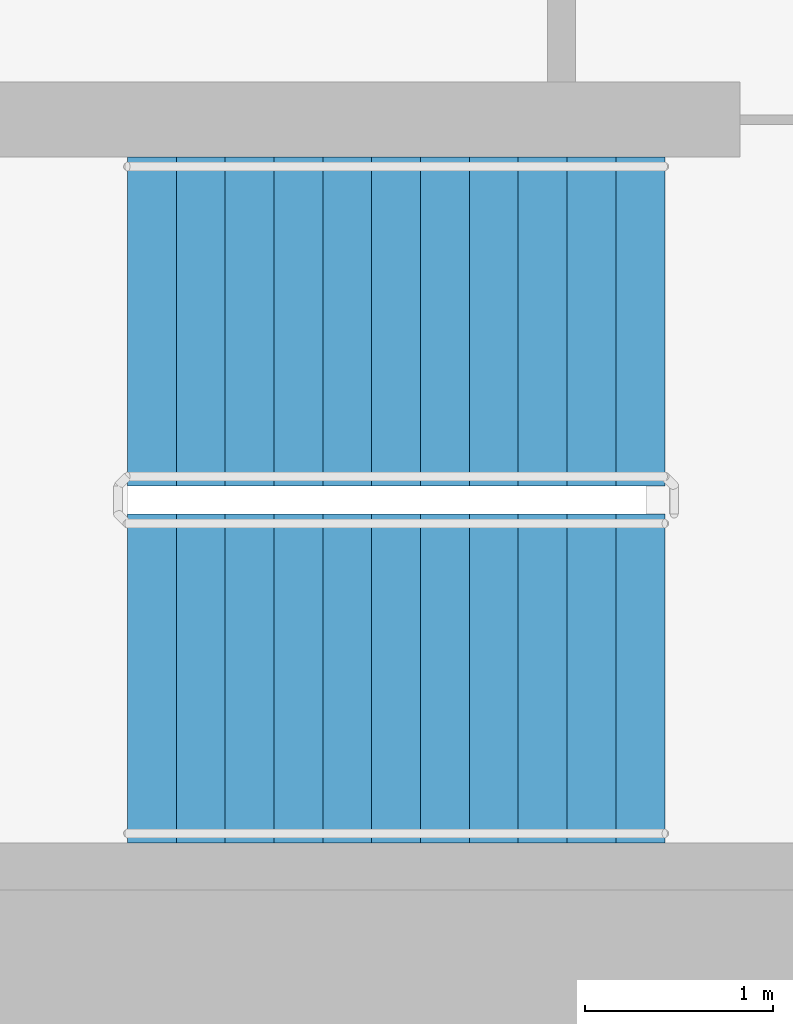
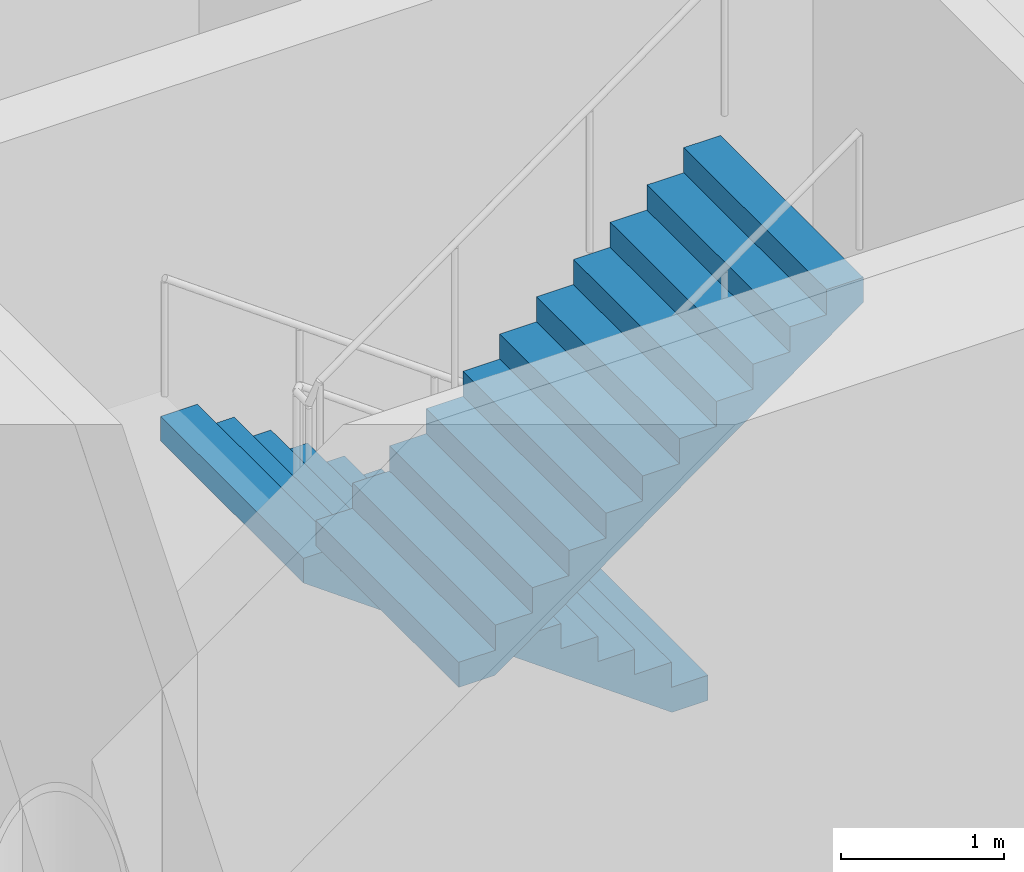
# One storey, part 16 of 20: 2 stair flights, 1 element without a shape of its own.
"""IFC4 building model written with IfcOpenShell, lengths in metres."""

from ifc_helpers import new_model, si_unit, direction, frame, origin, place, context, subcontext, project, spatial, faceted_brep, material, type_object, element, aggregate, save


model = new_model("IFC4")

# Units and contexts
model_context = context("Model", 3, precision=1e-05, world=origin(), true_north=direction((0.0, 1.0)))
body_context = subcontext(model_context, "Body", "Model", "MODEL_VIEW")
ifc_project = project(units=[si_unit("LENGTHUNIT", "METRE"), si_unit("AREAUNIT", "SQUARE_METRE"), si_unit("VOLUMEUNIT", "CUBIC_METRE"), si_unit("PLANEANGLEUNIT", "RADIAN"), si_unit("MASSUNIT", "GRAM", prefix="KILO")], contexts=[model_context])

# Site, building, storey
site_placement = place(None, origin())
site = spatial("IfcSite", under=ifc_project, at=site_placement, CompositionType="ELEMENT")
building_placement = place(site_placement, origin())
building = spatial("IfcBuilding", under=site, at=building_placement, Name="Ipe Terrace Towers", CompositionType="ELEMENT")
storey_placement = place(building_placement, frame((0.0, 0.0, 124.199951171875)))
storey = spatial("IfcBuildingStorey", under=building, at=storey_placement, Name="L34", CompositionType="ELEMENT", Elevation=124.199951171875)

# Stair, stair flights
ifc_material_1 = material(Name="Concrete C30/37", Category="concrete")
stair_type = type_object("IfcStairType", Name="Protected exit stair", PredefinedType="HALF_TURN_STAIR", material=ifc_material_1)
stair_placement = place(storey_placement, origin())
stair = element("IfcStair", 1, at=stair_placement, inside=storey, type_object=stair_type, Name="L34 Exit stair T1-C2", PredefinedType="HALF_TURN_STAIR")
ifc_material_2 = material(Name="Concrete C30/37", Category="concrete")
stair_flight_type = type_object("IfcStairFlightType", Name="Exit stair flight 1750", PredefinedType="STRAIGHT", material=ifc_material_2)
stair_flight_1_placement = place(storey_placement, frame((-45.699951171875, -2.77490234375, 0.0), z_axis=(0.0, 0.0, 1.0), x_axis=(-1.0, 0.0, 0.0)))
stair_flight_1 = element("IfcStairFlight", 2, at=stair_flight_1_placement, type_object=stair_flight_type, Name="T1-ST2 flight 1", NumberOfRisers=12, NumberOfTreads=11, PredefinedType="STRAIGHT", RiserHeight=0.1875, TreadLength=0.26, context=body_context, shape_type="Brep", body=[
    faceted_brep([(0.25634765625, -0.875, 0.0), (2.860107421875, -0.875, 1.877685546875), (2.860107421875, -0.875, 2.0625), (2.60009765625, -0.875, 2.0625), (2.60009765625, -0.875, 1.875), (2.340087890625, -0.875, 1.875), (2.340087890625, -0.875, 1.6875), (2.080078125, -0.875, 1.6875), (2.080078125, -0.875, 1.5), (1.820068359375, -0.875, 1.5), (1.820068359375, -0.875, 1.3125), (1.56005859375, -0.875, 1.3125), (1.56005859375, -0.875, 1.125), (1.300048828125, -0.875, 1.125), (1.300048828125, -0.875, 0.9375), (1.0400390625, -0.875, 0.9375), (1.0400390625, -0.875, 0.75), (0.780029296875, -0.875, 0.75), (0.780029296875, -0.875, 0.5625), (0.52001953125, -0.875, 0.5625), (0.52001953125, -0.875, 0.375), (0.260009765625, -0.875, 0.375), (0.260009765625, -0.875, 0.1875), (0.0, -0.875, 0.1875), (0.0, -0.875, 0.0), (0.0, 0.875, 0.0), (0.0, 0.875, 0.1875), (0.260009765625, 0.875, 0.1875), (0.260009765625, 0.875, 0.375), (0.52001953125, 0.875, 0.375), (0.52001953125, 0.875, 0.5625), (0.780029296875, 0.875, 0.5625), (0.780029296875, 0.875, 0.75), (1.0400390625, 0.875, 0.75), (1.0400390625, 0.875, 0.9375), (1.300048828125, 0.875, 0.9375), (1.300048828125, 0.875, 1.125), (1.56005859375, 0.875, 1.125), (1.56005859375, 0.875, 1.3125), (1.820068359375, 0.875, 1.3125), (1.820068359375, 0.875, 1.5), (2.080078125, 0.875, 1.5), (2.080078125, 0.875, 1.6875), (2.340087890625, 0.875, 1.6875), (2.340087890625, 0.875, 1.875), (2.60009765625, 0.875, 1.875), (2.60009765625, 0.875, 2.0625), (2.860107421875, 0.875, 2.0625), (2.860107421875, 0.875, 1.877685546875), (0.25634765625, 0.875, 0.0), (0.0, -0.300048828125, 0.1875), (0.0, -0.1201171875, 0.1875), (0.0, -0.06005859375, 0.1875), (0.0, -0.030029296875, 0.1875), (0.0, -0.010009765625, 0.1875), (0.0, 0.0, 0.1875), (0.0, 0.010009765625, 0.1875), (0.0, 0.030029296875, 0.1875), (0.0, 0.06005859375, 0.1875), (0.0, 0.1201171875, 0.1875), (0.0, 0.300048828125, 0.1875), (0.0, 0.300048828125, 0.0), (0.0, 0.1201171875, 0.0), (0.0, 0.06005859375, 0.0), (0.0, 0.030029296875, 0.0), (0.0, 0.010009765625, 0.0), (0.0, 0.0, 0.0), (0.0, -0.010009765625, 0.0), (0.0, -0.030029296875, 0.0), (0.0, -0.06005859375, 0.0), (0.0, -0.1201171875, 0.0), (0.0, -0.300048828125, 0.0), (0.260009765625, -0.300048828125, 0.1875), (0.260009765625, -0.1201171875, 0.1875), (0.260009765625, -0.06005859375, 0.1875), (0.260009765625, -0.030029296875, 0.1875), (0.260009765625, -0.010009765625, 0.1875), (0.260009765625, 0.0, 0.1875), (0.260009765625, 0.010009765625, 0.1875), (0.260009765625, 0.030029296875, 0.1875), (0.260009765625, 0.06005859375, 0.1875), (0.260009765625, 0.1201171875, 0.1875), (0.260009765625, 0.300048828125, 0.1875), (0.260009765625, -0.300048828125, 0.375), (0.260009765625, -0.1201171875, 0.375), (0.260009765625, -0.06005859375, 0.375), (0.260009765625, -0.030029296875, 0.375), (0.260009765625, -0.010009765625, 0.375), (0.260009765625, 0.0, 0.375), (0.260009765625, 0.010009765625, 0.375), (0.260009765625, 0.030029296875, 0.375), (0.260009765625, 0.06005859375, 0.375), (0.260009765625, 0.1201171875, 0.375), (0.260009765625, 0.300048828125, 0.375), (0.52001953125, -0.300048828125, 0.375), (0.52001953125, -0.1201171875, 0.375), (0.52001953125, -0.06005859375, 0.375), (0.52001953125, -0.030029296875, 0.375), (0.52001953125, -0.010009765625, 0.375), (0.52001953125, 0.0, 0.375), (0.52001953125, 0.010009765625, 0.375), (0.52001953125, 0.030029296875, 0.375), (0.52001953125, 0.06005859375, 0.375), (0.52001953125, 0.1201171875, 0.375), (0.52001953125, 0.300048828125, 0.375), (0.52001953125, -0.300048828125, 0.5625), (0.52001953125, -0.1201171875, 0.5625), (0.52001953125, -0.06005859375, 0.5625), (0.52001953125, -0.030029296875, 0.5625), (0.52001953125, -0.010009765625, 0.5625), (0.52001953125, 0.0, 0.5625), (0.52001953125, 0.010009765625, 0.5625), (0.52001953125, 0.030029296875, 0.5625), (0.52001953125, 0.06005859375, 0.5625), (0.52001953125, 0.1201171875, 0.5625), (0.52001953125, 0.300048828125, 0.5625), (0.780029296875, -0.300048828125, 0.5625), (0.780029296875, -0.1201171875, 0.5625), (0.780029296875, -0.06005859375, 0.5625), (0.780029296875, -0.030029296875, 0.5625), (0.780029296875, -0.010009765625, 0.5625), (0.780029296875, 0.0, 0.5625), (0.780029296875, 0.010009765625, 0.5625), (0.780029296875, 0.030029296875, 0.5625), (0.780029296875, 0.06005859375, 0.5625), (0.780029296875, 0.1201171875, 0.5625), (0.780029296875, 0.300048828125, 0.5625), (0.780029296875, -0.300048828125, 0.75), (0.780029296875, -0.1201171875, 0.75), (0.780029296875, -0.06005859375, 0.75), (0.780029296875, -0.030029296875, 0.75), (0.780029296875, -0.010009765625, 0.75), (0.780029296875, 0.0, 0.75), (0.780029296875, 0.010009765625, 0.75), (0.780029296875, 0.030029296875, 0.75), (0.780029296875, 0.06005859375, 0.75), (0.780029296875, 0.1201171875, 0.75), (0.780029296875, 0.300048828125, 0.75), (1.0400390625, -0.300048828125, 0.75), (1.0400390625, -0.1201171875, 0.75), (1.0400390625, -0.06005859375, 0.75), (1.0400390625, -0.030029296875, 0.75), (1.0400390625, -0.010009765625, 0.75), (1.0400390625, 0.0, 0.75), (1.0400390625, 0.010009765625, 0.75), (1.0400390625, 0.030029296875, 0.75), (1.0400390625, 0.06005859375, 0.75), (1.0400390625, 0.1201171875, 0.75), (1.0400390625, 0.300048828125, 0.75), (1.0400390625, -0.300048828125, 0.9375), (1.0400390625, -0.1201171875, 0.9375), (1.0400390625, -0.06005859375, 0.9375), (1.0400390625, -0.030029296875, 0.9375), (1.0400390625, -0.010009765625, 0.9375), (1.0400390625, 0.0, 0.9375), (1.0400390625, 0.010009765625, 0.9375), (1.0400390625, 0.030029296875, 0.9375), (1.0400390625, 0.06005859375, 0.9375), (1.0400390625, 0.1201171875, 0.9375), (1.0400390625, 0.300048828125, 0.9375), (1.300048828125, -0.300048828125, 0.9375), (1.300048828125, -0.1201171875, 0.9375), (1.300048828125, -0.06005859375, 0.9375), (1.300048828125, -0.030029296875, 0.9375), (1.300048828125, -0.010009765625, 0.9375), (1.300048828125, 0.0, 0.9375), (1.300048828125, 0.010009765625, 0.9375), (1.300048828125, 0.030029296875, 0.9375), (1.300048828125, 0.06005859375, 0.9375), (1.300048828125, 0.1201171875, 0.9375), (1.300048828125, 0.300048828125, 0.9375), (1.300048828125, -0.300048828125, 1.125), (1.300048828125, -0.1201171875, 1.125), (1.300048828125, -0.06005859375, 1.125), (1.300048828125, -0.030029296875, 1.125), (1.300048828125, -0.010009765625, 1.125), (1.300048828125, 0.0, 1.125), (1.300048828125, 0.010009765625, 1.125), (1.300048828125, 0.030029296875, 1.125), (1.300048828125, 0.06005859375, 1.125), (1.300048828125, 0.1201171875, 1.125), (1.300048828125, 0.300048828125, 1.125), (1.56005859375, -0.300048828125, 1.125), (1.56005859375, -0.1201171875, 1.125), (1.56005859375, -0.06005859375, 1.125), (1.56005859375, -0.030029296875, 1.125), (1.56005859375, -0.010009765625, 1.125), (1.56005859375, 0.0, 1.125), (1.56005859375, 0.010009765625, 1.125), (1.56005859375, 0.030029296875, 1.125), (1.56005859375, 0.06005859375, 1.125), (1.56005859375, 0.1201171875, 1.125), (1.56005859375, 0.300048828125, 1.125), (1.56005859375, -0.300048828125, 1.3125), (1.56005859375, -0.1201171875, 1.3125), (1.56005859375, -0.06005859375, 1.3125), (1.56005859375, -0.030029296875, 1.3125), (1.56005859375, -0.010009765625, 1.3125), (1.56005859375, 0.0, 1.3125), (1.56005859375, 0.010009765625, 1.3125), (1.56005859375, 0.030029296875, 1.3125), (1.56005859375, 0.06005859375, 1.3125), (1.56005859375, 0.1201171875, 1.3125), (1.56005859375, 0.300048828125, 1.3125), (1.820068359375, -0.300048828125, 1.3125), (1.820068359375, -0.1201171875, 1.3125), (1.820068359375, -0.06005859375, 1.3125), (1.820068359375, -0.030029296875, 1.3125), (1.820068359375, -0.010009765625, 1.3125), (1.820068359375, 0.0, 1.3125), (1.820068359375, 0.010009765625, 1.3125), (1.820068359375, 0.030029296875, 1.3125), (1.820068359375, 0.06005859375, 1.3125), (1.820068359375, 0.1201171875, 1.3125), (1.820068359375, 0.300048828125, 1.3125), (1.820068359375, -0.300048828125, 1.5), (1.820068359375, -0.1201171875, 1.5), (1.820068359375, -0.06005859375, 1.5), (1.820068359375, -0.030029296875, 1.5), (1.820068359375, -0.010009765625, 1.5), (1.820068359375, 0.0, 1.5), (1.820068359375, 0.010009765625, 1.5), (1.820068359375, 0.030029296875, 1.5), (1.820068359375, 0.06005859375, 1.5), (1.820068359375, 0.1201171875, 1.5), (1.820068359375, 0.300048828125, 1.5), (2.080078125, -0.300048828125, 1.5), (2.080078125, -0.1201171875, 1.5), (2.080078125, -0.06005859375, 1.5), (2.080078125, -0.030029296875, 1.5), (2.080078125, -0.010009765625, 1.5), (2.080078125, 0.0, 1.5), (2.080078125, 0.010009765625, 1.5), (2.080078125, 0.030029296875, 1.5), (2.080078125, 0.06005859375, 1.5), (2.080078125, 0.1201171875, 1.5), (2.080078125, 0.300048828125, 1.5), (2.080078125, -0.300048828125, 1.6875), (2.080078125, -0.1201171875, 1.6875), (2.080078125, -0.06005859375, 1.6875), (2.080078125, -0.030029296875, 1.6875), (2.080078125, -0.010009765625, 1.6875), (2.080078125, 0.0, 1.6875), (2.080078125, 0.010009765625, 1.6875), (2.080078125, 0.030029296875, 1.6875), (2.080078125, 0.06005859375, 1.6875), (2.080078125, 0.1201171875, 1.6875), (2.080078125, 0.300048828125, 1.6875), (2.340087890625, -0.300048828125, 1.6875), (2.340087890625, -0.1201171875, 1.6875), (2.340087890625, -0.06005859375, 1.6875), (2.340087890625, -0.030029296875, 1.6875), (2.340087890625, -0.010009765625, 1.6875), (2.340087890625, 0.0, 1.6875), (2.340087890625, 0.010009765625, 1.6875), (2.340087890625, 0.030029296875, 1.6875), (2.340087890625, 0.06005859375, 1.6875), (2.340087890625, 0.1201171875, 1.6875), (2.340087890625, 0.300048828125, 1.6875), (2.340087890625, -0.300048828125, 1.875), (2.340087890625, -0.1201171875, 1.875), (2.340087890625, -0.06005859375, 1.875), (2.340087890625, -0.030029296875, 1.875), (2.340087890625, -0.010009765625, 1.875), (2.340087890625, 0.0, 1.875), (2.340087890625, 0.010009765625, 1.875), (2.340087890625, 0.030029296875, 1.875), (2.340087890625, 0.06005859375, 1.875), (2.340087890625, 0.1201171875, 1.875), (2.340087890625, 0.300048828125, 1.875), (2.60009765625, -0.300048828125, 1.875), (2.60009765625, -0.1201171875, 1.875), (2.60009765625, -0.06005859375, 1.875), (2.60009765625, -0.030029296875, 1.875), (2.60009765625, -0.010009765625, 1.875), (2.60009765625, 0.0, 1.875), (2.60009765625, 0.010009765625, 1.875), (2.60009765625, 0.030029296875, 1.875), (2.60009765625, 0.06005859375, 1.875), (2.60009765625, 0.1201171875, 1.875), (2.60009765625, 0.300048828125, 1.875), (2.60009765625, -0.300048828125, 2.0625), (2.60009765625, -0.1201171875, 2.0625), (2.60009765625, -0.06005859375, 2.0625), (2.60009765625, -0.030029296875, 2.0625), (2.60009765625, -0.010009765625, 2.0625), (2.60009765625, 0.0, 2.0625), (2.60009765625, 0.010009765625, 2.0625), (2.60009765625, 0.030029296875, 2.0625), (2.60009765625, 0.06005859375, 2.0625), (2.60009765625, 0.1201171875, 2.0625), (2.60009765625, 0.300048828125, 2.0625), (2.860107421875, -0.300048828125, 2.0625), (2.860107421875, -0.1201171875, 2.0625), (2.860107421875, -0.06005859375, 2.0625), (2.860107421875, -0.030029296875, 2.0625), (2.860107421875, -0.010009765625, 2.0625), (2.860107421875, 0.0, 2.0625), (2.860107421875, 0.010009765625, 2.0625), (2.860107421875, 0.030029296875, 2.0625), (2.860107421875, 0.06005859375, 2.0625), (2.860107421875, 0.1201171875, 2.0625), (2.860107421875, 0.300048828125, 2.0625), (2.860107421875, -0.300048828125, 1.877685546875), (2.860107421875, -0.1201171875, 1.877685546875), (2.860107421875, -0.06005859375, 1.877685546875), (2.860107421875, -0.030029296875, 1.877685546875), (2.860107421875, -0.010009765625, 1.877685546875), (2.860107421875, 0.0, 1.877685546875), (2.860107421875, 0.010009765625, 1.877685546875), (2.860107421875, 0.030029296875, 1.877685546875), (2.860107421875, 0.06005859375, 1.877685546875), (2.860107421875, 0.1201171875, 1.877685546875), (2.860107421875, 0.300048828125, 1.877685546875), (0.25634765625, -0.300048828125, 0.0), (0.25634765625, -0.1201171875, 0.0), (0.25634765625, -0.06005859375, 0.0), (0.25634765625, -0.030029296875, 0.0), (0.25634765625, -0.010009765625, 0.0), (0.25634765625, 0.0, 0.0), (0.25634765625, 0.010009765625, 0.0), (0.25634765625, 0.030029296875, 0.0), (0.25634765625, 0.06005859375, 0.0), (0.25634765625, 0.1201171875, 0.0), (0.25634765625, 0.300048828125, 0.0)], [[[0, 1, 2, 3, 4, 5, 6, 7, 8, 9, 10, 11, 12, 13, 14, 15, 16, 17, 18, 19, 20, 21, 22, 23, 24]], [[25, 26, 27, 28, 29, 30, 31, 32, 33, 34, 35, 36, 37, 38, 39, 40, 41, 42, 43, 44, 45, 46, 47, 48, 49]], [[23, 50, 51, 52, 53, 54, 55, 56, 57, 58, 59, 60, 26, 25, 61, 62, 63, 64, 65, 66, 67, 68, 69, 70, 71, 24]], [[22, 72, 73, 74, 75, 76, 77, 78, 79, 80, 81, 82, 27, 26, 60, 59, 58, 57, 56, 55, 54, 53, 52, 51, 50, 23]], [[21, 83, 84, 85, 86, 87, 88, 89, 90, 91, 92, 93, 28, 27, 82, 81, 80, 79, 78, 77, 76, 75, 74, 73, 72, 22]], [[20, 94, 95, 96, 97, 98, 99, 100, 101, 102, 103, 104, 29, 28, 93, 92, 91, 90, 89, 88, 87, 86, 85, 84, 83, 21]], [[19, 105, 106, 107, 108, 109, 110, 111, 112, 113, 114, 115, 30, 29, 104, 103, 102, 101, 100, 99, 98, 97, 96, 95, 94, 20]], [[18, 116, 117, 118, 119, 120, 121, 122, 123, 124, 125, 126, 31, 30, 115, 114, 113, 112, 111, 110, 109, 108, 107, 106, 105, 19]], [[17, 127, 128, 129, 130, 131, 132, 133, 134, 135, 136, 137, 32, 31, 126, 125, 124, 123, 122, 121, 120, 119, 118, 117, 116, 18]], [[16, 138, 139, 140, 141, 142, 143, 144, 145, 146, 147, 148, 33, 32, 137, 136, 135, 134, 133, 132, 131, 130, 129, 128, 127, 17]], [[15, 149, 150, 151, 152, 153, 154, 155, 156, 157, 158, 159, 34, 33, 148, 147, 146, 145, 144, 143, 142, 141, 140, 139, 138, 16]], [[14, 160, 161, 162, 163, 164, 165, 166, 167, 168, 169, 170, 35, 34, 159, 158, 157, 156, 155, 154, 153, 152, 151, 150, 149, 15]], [[13, 171, 172, 173, 174, 175, 176, 177, 178, 179, 180, 181, 36, 35, 170, 169, 168, 167, 166, 165, 164, 163, 162, 161, 160, 14]], [[12, 182, 183, 184, 185, 186, 187, 188, 189, 190, 191, 192, 37, 36, 181, 180, 179, 178, 177, 176, 175, 174, 173, 172, 171, 13]], [[11, 193, 194, 195, 196, 197, 198, 199, 200, 201, 202, 203, 38, 37, 192, 191, 190, 189, 188, 187, 186, 185, 184, 183, 182, 12]], [[10, 204, 205, 206, 207, 208, 209, 210, 211, 212, 213, 214, 39, 38, 203, 202, 201, 200, 199, 198, 197, 196, 195, 194, 193, 11]], [[9, 215, 216, 217, 218, 219, 220, 221, 222, 223, 224, 225, 40, 39, 214, 213, 212, 211, 210, 209, 208, 207, 206, 205, 204, 10]], [[8, 226, 227, 228, 229, 230, 231, 232, 233, 234, 235, 236, 41, 40, 225, 224, 223, 222, 221, 220, 219, 218, 217, 216, 215, 9]], [[7, 237, 238, 239, 240, 241, 242, 243, 244, 245, 246, 247, 42, 41, 236, 235, 234, 233, 232, 231, 230, 229, 228, 227, 226, 8]], [[6, 248, 249, 250, 251, 252, 253, 254, 255, 256, 257, 258, 43, 42, 247, 246, 245, 244, 243, 242, 241, 240, 239, 238, 237, 7]], [[5, 259, 260, 261, 262, 263, 264, 265, 266, 267, 268, 269, 44, 43, 258, 257, 256, 255, 254, 253, 252, 251, 250, 249, 248, 6]], [[4, 270, 271, 272, 273, 274, 275, 276, 277, 278, 279, 280, 45, 44, 269, 268, 267, 266, 265, 264, 263, 262, 261, 260, 259, 5]], [[3, 281, 282, 283, 284, 285, 286, 287, 288, 289, 290, 291, 46, 45, 280, 279, 278, 277, 276, 275, 274, 273, 272, 271, 270, 4]], [[2, 292, 293, 294, 295, 296, 297, 298, 299, 300, 301, 302, 47, 46, 291, 290, 289, 288, 287, 286, 285, 284, 283, 282, 281, 3]], [[1, 303, 304, 305, 306, 307, 308, 309, 310, 311, 312, 313, 48, 47, 302, 301, 300, 299, 298, 297, 296, 295, 294, 293, 292, 2]], [[0, 314, 315, 316, 317, 318, 319, 320, 321, 322, 323, 324, 49, 48, 313, 312, 311, 310, 309, 308, 307, 306, 305, 304, 303, 1]], [[24, 71, 70, 69, 68, 67, 66, 65, 64, 63, 62, 61, 25, 49, 324, 323, 322, 321, 320, 319, 318, 317, 316, 315, 314, 0]]]),
])
stair_flight_2_placement = place(storey_placement, frame((-48.56005859375, -4.675048828125, 2.25), z_axis=(0.0, 0.0, 1.0), x_axis=(1.0, 0.0, 0.0)))
stair_flight_2 = element("IfcStairFlight", 3, at=stair_flight_2_placement, type_object=stair_flight_type, Name="T1-ST2 flight 2", NumberOfRisers=12, NumberOfTreads=11, PredefinedType="STRAIGHT", RiserHeight=0.1875, TreadLength=0.26, context=body_context, shape_type="Brep", body=[
    faceted_brep([(0.25634765625, -0.875, 0.0), (2.860107421875, -0.875, 1.877685546875), (2.860107421875, -0.875, 2.0625), (2.60009765625, -0.875, 2.0625), (2.60009765625, -0.875, 1.875), (2.340087890625, -0.875, 1.875), (2.340087890625, -0.875, 1.6875), (2.080078125, -0.875, 1.6875), (2.080078125, -0.875, 1.5), (1.820068359375, -0.875, 1.5), (1.820068359375, -0.875, 1.3125), (1.56005859375, -0.875, 1.3125), (1.56005859375, -0.875, 1.125), (1.300048828125, -0.875, 1.125), (1.300048828125, -0.875, 0.9375), (1.0400390625, -0.875, 0.9375), (1.0400390625, -0.875, 0.75), (0.780029296875, -0.875, 0.75), (0.780029296875, -0.875, 0.5625), (0.52001953125, -0.875, 0.5625), (0.52001953125, -0.875, 0.375), (0.260009765625, -0.875, 0.375), (0.260009765625, -0.875, 0.1875), (0.0, -0.875, 0.1875), (0.0, -0.875, 0.0), (0.0, 0.875, 0.0), (0.0, 0.875, 0.1875), (0.260009765625, 0.875, 0.1875), (0.260009765625, 0.875, 0.375), (0.52001953125, 0.875, 0.375), (0.52001953125, 0.875, 0.5625), (0.780029296875, 0.875, 0.5625), (0.780029296875, 0.875, 0.75), (1.0400390625, 0.875, 0.75), (1.0400390625, 0.875, 0.9375), (1.300048828125, 0.875, 0.9375), (1.300048828125, 0.875, 1.125), (1.56005859375, 0.875, 1.125), (1.56005859375, 0.875, 1.3125), (1.820068359375, 0.875, 1.3125), (1.820068359375, 0.875, 1.5), (2.080078125, 0.875, 1.5), (2.080078125, 0.875, 1.6875), (2.340087890625, 0.875, 1.6875), (2.340087890625, 0.875, 1.875), (2.60009765625, 0.875, 1.875), (2.60009765625, 0.875, 2.0625), (2.860107421875, 0.875, 2.0625), (2.860107421875, 0.875, 1.877685546875), (0.25634765625, 0.875, 0.0), (0.0, -0.300048828125, 0.1875), (0.0, -0.1201171875, 0.1875), (0.0, -0.06005859375, 0.1875), (0.0, -0.030029296875, 0.1875), (0.0, -0.010009765625, 0.1875), (0.0, 0.0, 0.1875), (0.0, 0.010009765625, 0.1875), (0.0, 0.030029296875, 0.1875), (0.0, 0.06005859375, 0.1875), (0.0, 0.1201171875, 0.1875), (0.0, 0.300048828125, 0.1875), (0.0, 0.300048828125, 0.0), (0.0, 0.1201171875, 0.0), (0.0, 0.06005859375, 0.0), (0.0, 0.030029296875, 0.0), (0.0, 0.010009765625, 0.0), (0.0, 0.0, 0.0), (0.0, -0.010009765625, 0.0), (0.0, -0.030029296875, 0.0), (0.0, -0.06005859375, 0.0), (0.0, -0.1201171875, 0.0), (0.0, -0.300048828125, 0.0), (0.260009765625, -0.300048828125, 0.1875), (0.260009765625, -0.1201171875, 0.1875), (0.260009765625, -0.06005859375, 0.1875), (0.260009765625, -0.030029296875, 0.1875), (0.260009765625, -0.010009765625, 0.1875), (0.260009765625, 0.0, 0.1875), (0.260009765625, 0.010009765625, 0.1875), (0.260009765625, 0.030029296875, 0.1875), (0.260009765625, 0.06005859375, 0.1875), (0.260009765625, 0.1201171875, 0.1875), (0.260009765625, 0.300048828125, 0.1875), (0.260009765625, -0.300048828125, 0.375), (0.260009765625, -0.1201171875, 0.375), (0.260009765625, -0.06005859375, 0.375), (0.260009765625, -0.030029296875, 0.375), (0.260009765625, -0.010009765625, 0.375), (0.260009765625, 0.0, 0.375), (0.260009765625, 0.010009765625, 0.375), (0.260009765625, 0.030029296875, 0.375), (0.260009765625, 0.06005859375, 0.375), (0.260009765625, 0.1201171875, 0.375), (0.260009765625, 0.300048828125, 0.375), (0.52001953125, -0.300048828125, 0.375), (0.52001953125, -0.1201171875, 0.375), (0.52001953125, -0.06005859375, 0.375), (0.52001953125, -0.030029296875, 0.375), (0.52001953125, -0.010009765625, 0.375), (0.52001953125, 0.0, 0.375), (0.52001953125, 0.010009765625, 0.375), (0.52001953125, 0.030029296875, 0.375), (0.52001953125, 0.06005859375, 0.375), (0.52001953125, 0.1201171875, 0.375), (0.52001953125, 0.300048828125, 0.375), (0.52001953125, -0.300048828125, 0.5625), (0.52001953125, -0.1201171875, 0.5625), (0.52001953125, -0.06005859375, 0.5625), (0.52001953125, -0.030029296875, 0.5625), (0.52001953125, -0.010009765625, 0.5625), (0.52001953125, 0.0, 0.5625), (0.52001953125, 0.010009765625, 0.5625), (0.52001953125, 0.030029296875, 0.5625), (0.52001953125, 0.06005859375, 0.5625), (0.52001953125, 0.1201171875, 0.5625), (0.52001953125, 0.300048828125, 0.5625), (0.780029296875, -0.300048828125, 0.5625), (0.780029296875, -0.1201171875, 0.5625), (0.780029296875, -0.06005859375, 0.5625), (0.780029296875, -0.030029296875, 0.5625), (0.780029296875, -0.010009765625, 0.5625), (0.780029296875, 0.0, 0.5625), (0.780029296875, 0.010009765625, 0.5625), (0.780029296875, 0.030029296875, 0.5625), (0.780029296875, 0.06005859375, 0.5625), (0.780029296875, 0.1201171875, 0.5625), (0.780029296875, 0.300048828125, 0.5625), (0.780029296875, -0.300048828125, 0.75), (0.780029296875, -0.1201171875, 0.75), (0.780029296875, -0.06005859375, 0.75), (0.780029296875, -0.030029296875, 0.75), (0.780029296875, -0.010009765625, 0.75), (0.780029296875, 0.0, 0.75), (0.780029296875, 0.010009765625, 0.75), (0.780029296875, 0.030029296875, 0.75), (0.780029296875, 0.06005859375, 0.75), (0.780029296875, 0.1201171875, 0.75), (0.780029296875, 0.300048828125, 0.75), (1.0400390625, -0.300048828125, 0.75), (1.0400390625, -0.1201171875, 0.75), (1.0400390625, -0.06005859375, 0.75), (1.0400390625, -0.030029296875, 0.75), (1.0400390625, -0.010009765625, 0.75), (1.0400390625, 0.0, 0.75), (1.0400390625, 0.010009765625, 0.75), (1.0400390625, 0.030029296875, 0.75), (1.0400390625, 0.06005859375, 0.75), (1.0400390625, 0.1201171875, 0.75), (1.0400390625, 0.300048828125, 0.75), (1.0400390625, -0.300048828125, 0.9375), (1.0400390625, -0.1201171875, 0.9375), (1.0400390625, -0.06005859375, 0.9375), (1.0400390625, -0.030029296875, 0.9375), (1.0400390625, -0.010009765625, 0.9375), (1.0400390625, 0.0, 0.9375), (1.0400390625, 0.010009765625, 0.9375), (1.0400390625, 0.030029296875, 0.9375), (1.0400390625, 0.06005859375, 0.9375), (1.0400390625, 0.1201171875, 0.9375), (1.0400390625, 0.300048828125, 0.9375), (1.300048828125, -0.300048828125, 0.9375), (1.300048828125, -0.1201171875, 0.9375), (1.300048828125, -0.06005859375, 0.9375), (1.300048828125, -0.030029296875, 0.9375), (1.300048828125, -0.010009765625, 0.9375), (1.300048828125, 0.0, 0.9375), (1.300048828125, 0.010009765625, 0.9375), (1.300048828125, 0.030029296875, 0.9375), (1.300048828125, 0.06005859375, 0.9375), (1.300048828125, 0.1201171875, 0.9375), (1.300048828125, 0.300048828125, 0.9375), (1.300048828125, -0.300048828125, 1.125), (1.300048828125, -0.1201171875, 1.125), (1.300048828125, -0.06005859375, 1.125), (1.300048828125, -0.030029296875, 1.125), (1.300048828125, -0.010009765625, 1.125), (1.300048828125, 0.0, 1.125), (1.300048828125, 0.010009765625, 1.125), (1.300048828125, 0.030029296875, 1.125), (1.300048828125, 0.06005859375, 1.125), (1.300048828125, 0.1201171875, 1.125), (1.300048828125, 0.300048828125, 1.125), (1.56005859375, -0.300048828125, 1.125), (1.56005859375, -0.1201171875, 1.125), (1.56005859375, -0.06005859375, 1.125), (1.56005859375, -0.030029296875, 1.125), (1.56005859375, -0.010009765625, 1.125), (1.56005859375, 0.0, 1.125), (1.56005859375, 0.010009765625, 1.125), (1.56005859375, 0.030029296875, 1.125), (1.56005859375, 0.06005859375, 1.125), (1.56005859375, 0.1201171875, 1.125), (1.56005859375, 0.300048828125, 1.125), (1.56005859375, -0.300048828125, 1.3125), (1.56005859375, -0.1201171875, 1.3125), (1.56005859375, -0.06005859375, 1.3125), (1.56005859375, -0.030029296875, 1.3125), (1.56005859375, -0.010009765625, 1.3125), (1.56005859375, 0.0, 1.3125), (1.56005859375, 0.010009765625, 1.3125), (1.56005859375, 0.030029296875, 1.3125), (1.56005859375, 0.06005859375, 1.3125), (1.56005859375, 0.1201171875, 1.3125), (1.56005859375, 0.300048828125, 1.3125), (1.820068359375, -0.300048828125, 1.3125), (1.820068359375, -0.1201171875, 1.3125), (1.820068359375, -0.06005859375, 1.3125), (1.820068359375, -0.030029296875, 1.3125), (1.820068359375, -0.010009765625, 1.3125), (1.820068359375, 0.0, 1.3125), (1.820068359375, 0.010009765625, 1.3125), (1.820068359375, 0.030029296875, 1.3125), (1.820068359375, 0.06005859375, 1.3125), (1.820068359375, 0.1201171875, 1.3125), (1.820068359375, 0.300048828125, 1.3125), (1.820068359375, -0.300048828125, 1.5), (1.820068359375, -0.1201171875, 1.5), (1.820068359375, -0.06005859375, 1.5), (1.820068359375, -0.030029296875, 1.5), (1.820068359375, -0.010009765625, 1.5), (1.820068359375, 0.0, 1.5), (1.820068359375, 0.010009765625, 1.5), (1.820068359375, 0.030029296875, 1.5), (1.820068359375, 0.06005859375, 1.5), (1.820068359375, 0.1201171875, 1.5), (1.820068359375, 0.300048828125, 1.5), (2.080078125, -0.300048828125, 1.5), (2.080078125, -0.1201171875, 1.5), (2.080078125, -0.06005859375, 1.5), (2.080078125, -0.030029296875, 1.5), (2.080078125, -0.010009765625, 1.5), (2.080078125, 0.0, 1.5), (2.080078125, 0.010009765625, 1.5), (2.080078125, 0.030029296875, 1.5), (2.080078125, 0.06005859375, 1.5), (2.080078125, 0.1201171875, 1.5), (2.080078125, 0.300048828125, 1.5), (2.080078125, -0.300048828125, 1.6875), (2.080078125, -0.1201171875, 1.6875), (2.080078125, -0.06005859375, 1.6875), (2.080078125, -0.030029296875, 1.6875), (2.080078125, -0.010009765625, 1.6875), (2.080078125, 0.0, 1.6875), (2.080078125, 0.010009765625, 1.6875), (2.080078125, 0.030029296875, 1.6875), (2.080078125, 0.06005859375, 1.6875), (2.080078125, 0.1201171875, 1.6875), (2.080078125, 0.300048828125, 1.6875), (2.340087890625, -0.300048828125, 1.6875), (2.340087890625, -0.1201171875, 1.6875), (2.340087890625, -0.06005859375, 1.6875), (2.340087890625, -0.030029296875, 1.6875), (2.340087890625, -0.010009765625, 1.6875), (2.340087890625, 0.0, 1.6875), (2.340087890625, 0.010009765625, 1.6875), (2.340087890625, 0.030029296875, 1.6875), (2.340087890625, 0.06005859375, 1.6875), (2.340087890625, 0.1201171875, 1.6875), (2.340087890625, 0.300048828125, 1.6875), (2.340087890625, -0.300048828125, 1.875), (2.340087890625, -0.1201171875, 1.875), (2.340087890625, -0.06005859375, 1.875), (2.340087890625, -0.030029296875, 1.875), (2.340087890625, -0.010009765625, 1.875), (2.340087890625, 0.0, 1.875), (2.340087890625, 0.010009765625, 1.875), (2.340087890625, 0.030029296875, 1.875), (2.340087890625, 0.06005859375, 1.875), (2.340087890625, 0.1201171875, 1.875), (2.340087890625, 0.300048828125, 1.875), (2.60009765625, -0.300048828125, 1.875), (2.60009765625, -0.1201171875, 1.875), (2.60009765625, -0.06005859375, 1.875), (2.60009765625, -0.030029296875, 1.875), (2.60009765625, -0.010009765625, 1.875), (2.60009765625, 0.0, 1.875), (2.60009765625, 0.010009765625, 1.875), (2.60009765625, 0.030029296875, 1.875), (2.60009765625, 0.06005859375, 1.875), (2.60009765625, 0.1201171875, 1.875), (2.60009765625, 0.300048828125, 1.875), (2.60009765625, -0.300048828125, 2.0625), (2.60009765625, -0.1201171875, 2.0625), (2.60009765625, -0.06005859375, 2.0625), (2.60009765625, -0.030029296875, 2.0625), (2.60009765625, -0.010009765625, 2.0625), (2.60009765625, 0.0, 2.0625), (2.60009765625, 0.010009765625, 2.0625), (2.60009765625, 0.030029296875, 2.0625), (2.60009765625, 0.06005859375, 2.0625), (2.60009765625, 0.1201171875, 2.0625), (2.60009765625, 0.300048828125, 2.0625), (2.860107421875, -0.300048828125, 2.0625), (2.860107421875, -0.1201171875, 2.0625), (2.860107421875, -0.06005859375, 2.0625), (2.860107421875, -0.030029296875, 2.0625), (2.860107421875, -0.010009765625, 2.0625), (2.860107421875, 0.0, 2.0625), (2.860107421875, 0.010009765625, 2.0625), (2.860107421875, 0.030029296875, 2.0625), (2.860107421875, 0.06005859375, 2.0625), (2.860107421875, 0.1201171875, 2.0625), (2.860107421875, 0.300048828125, 2.0625), (2.860107421875, -0.300048828125, 1.877685546875), (2.860107421875, -0.1201171875, 1.877685546875), (2.860107421875, -0.06005859375, 1.877685546875), (2.860107421875, -0.030029296875, 1.877685546875), (2.860107421875, -0.010009765625, 1.877685546875), (2.860107421875, 0.0, 1.877685546875), (2.860107421875, 0.010009765625, 1.877685546875), (2.860107421875, 0.030029296875, 1.877685546875), (2.860107421875, 0.06005859375, 1.877685546875), (2.860107421875, 0.1201171875, 1.877685546875), (2.860107421875, 0.300048828125, 1.877685546875), (0.25634765625, -0.300048828125, 0.0), (0.25634765625, -0.1201171875, 0.0), (0.25634765625, -0.06005859375, 0.0), (0.25634765625, -0.030029296875, 0.0), (0.25634765625, -0.010009765625, 0.0), (0.25634765625, 0.0, 0.0), (0.25634765625, 0.010009765625, 0.0), (0.25634765625, 0.030029296875, 0.0), (0.25634765625, 0.06005859375, 0.0), (0.25634765625, 0.1201171875, 0.0), (0.25634765625, 0.300048828125, 0.0)], [[[0, 1, 2, 3, 4, 5, 6, 7, 8, 9, 10, 11, 12, 13, 14, 15, 16, 17, 18, 19, 20, 21, 22, 23, 24]], [[25, 26, 27, 28, 29, 30, 31, 32, 33, 34, 35, 36, 37, 38, 39, 40, 41, 42, 43, 44, 45, 46, 47, 48, 49]], [[23, 50, 51, 52, 53, 54, 55, 56, 57, 58, 59, 60, 26, 25, 61, 62, 63, 64, 65, 66, 67, 68, 69, 70, 71, 24]], [[22, 72, 73, 74, 75, 76, 77, 78, 79, 80, 81, 82, 27, 26, 60, 59, 58, 57, 56, 55, 54, 53, 52, 51, 50, 23]], [[21, 83, 84, 85, 86, 87, 88, 89, 90, 91, 92, 93, 28, 27, 82, 81, 80, 79, 78, 77, 76, 75, 74, 73, 72, 22]], [[20, 94, 95, 96, 97, 98, 99, 100, 101, 102, 103, 104, 29, 28, 93, 92, 91, 90, 89, 88, 87, 86, 85, 84, 83, 21]], [[19, 105, 106, 107, 108, 109, 110, 111, 112, 113, 114, 115, 30, 29, 104, 103, 102, 101, 100, 99, 98, 97, 96, 95, 94, 20]], [[18, 116, 117, 118, 119, 120, 121, 122, 123, 124, 125, 126, 31, 30, 115, 114, 113, 112, 111, 110, 109, 108, 107, 106, 105, 19]], [[17, 127, 128, 129, 130, 131, 132, 133, 134, 135, 136, 137, 32, 31, 126, 125, 124, 123, 122, 121, 120, 119, 118, 117, 116, 18]], [[16, 138, 139, 140, 141, 142, 143, 144, 145, 146, 147, 148, 33, 32, 137, 136, 135, 134, 133, 132, 131, 130, 129, 128, 127, 17]], [[15, 149, 150, 151, 152, 153, 154, 155, 156, 157, 158, 159, 34, 33, 148, 147, 146, 145, 144, 143, 142, 141, 140, 139, 138, 16]], [[14, 160, 161, 162, 163, 164, 165, 166, 167, 168, 169, 170, 35, 34, 159, 158, 157, 156, 155, 154, 153, 152, 151, 150, 149, 15]], [[13, 171, 172, 173, 174, 175, 176, 177, 178, 179, 180, 181, 36, 35, 170, 169, 168, 167, 166, 165, 164, 163, 162, 161, 160, 14]], [[12, 182, 183, 184, 185, 186, 187, 188, 189, 190, 191, 192, 37, 36, 181, 180, 179, 178, 177, 176, 175, 174, 173, 172, 171, 13]], [[11, 193, 194, 195, 196, 197, 198, 199, 200, 201, 202, 203, 38, 37, 192, 191, 190, 189, 188, 187, 186, 185, 184, 183, 182, 12]], [[10, 204, 205, 206, 207, 208, 209, 210, 211, 212, 213, 214, 39, 38, 203, 202, 201, 200, 199, 198, 197, 196, 195, 194, 193, 11]], [[9, 215, 216, 217, 218, 219, 220, 221, 222, 223, 224, 225, 40, 39, 214, 213, 212, 211, 210, 209, 208, 207, 206, 205, 204, 10]], [[8, 226, 227, 228, 229, 230, 231, 232, 233, 234, 235, 236, 41, 40, 225, 224, 223, 222, 221, 220, 219, 218, 217, 216, 215, 9]], [[7, 237, 238, 239, 240, 241, 242, 243, 244, 245, 246, 247, 42, 41, 236, 235, 234, 233, 232, 231, 230, 229, 228, 227, 226, 8]], [[6, 248, 249, 250, 251, 252, 253, 254, 255, 256, 257, 258, 43, 42, 247, 246, 245, 244, 243, 242, 241, 240, 239, 238, 237, 7]], [[5, 259, 260, 261, 262, 263, 264, 265, 266, 267, 268, 269, 44, 43, 258, 257, 256, 255, 254, 253, 252, 251, 250, 249, 248, 6]], [[4, 270, 271, 272, 273, 274, 275, 276, 277, 278, 279, 280, 45, 44, 269, 268, 267, 266, 265, 264, 263, 262, 261, 260, 259, 5]], [[3, 281, 282, 283, 284, 285, 286, 287, 288, 289, 290, 291, 46, 45, 280, 279, 278, 277, 276, 275, 274, 273, 272, 271, 270, 4]], [[2, 292, 293, 294, 295, 296, 297, 298, 299, 300, 301, 302, 47, 46, 291, 290, 289, 288, 287, 286, 285, 284, 283, 282, 281, 3]], [[1, 303, 304, 305, 306, 307, 308, 309, 310, 311, 312, 313, 48, 47, 302, 301, 300, 299, 298, 297, 296, 295, 294, 293, 292, 2]], [[0, 314, 315, 316, 317, 318, 319, 320, 321, 322, 323, 324, 49, 48, 313, 312, 311, 310, 309, 308, 307, 306, 305, 304, 303, 1]], [[24, 71, 70, 69, 68, 67, 66, 65, 64, 63, 62, 61, 25, 49, 324, 323, 322, 321, 320, 319, 318, 317, 316, 315, 314, 0]]]),
])
aggregate(stair, [stair_flight_1, stair_flight_2])

save(model, "model.ifc")
